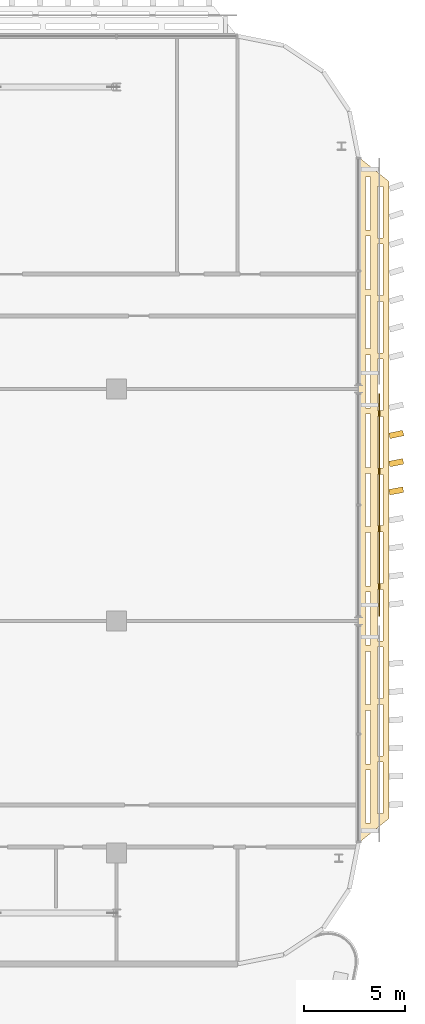
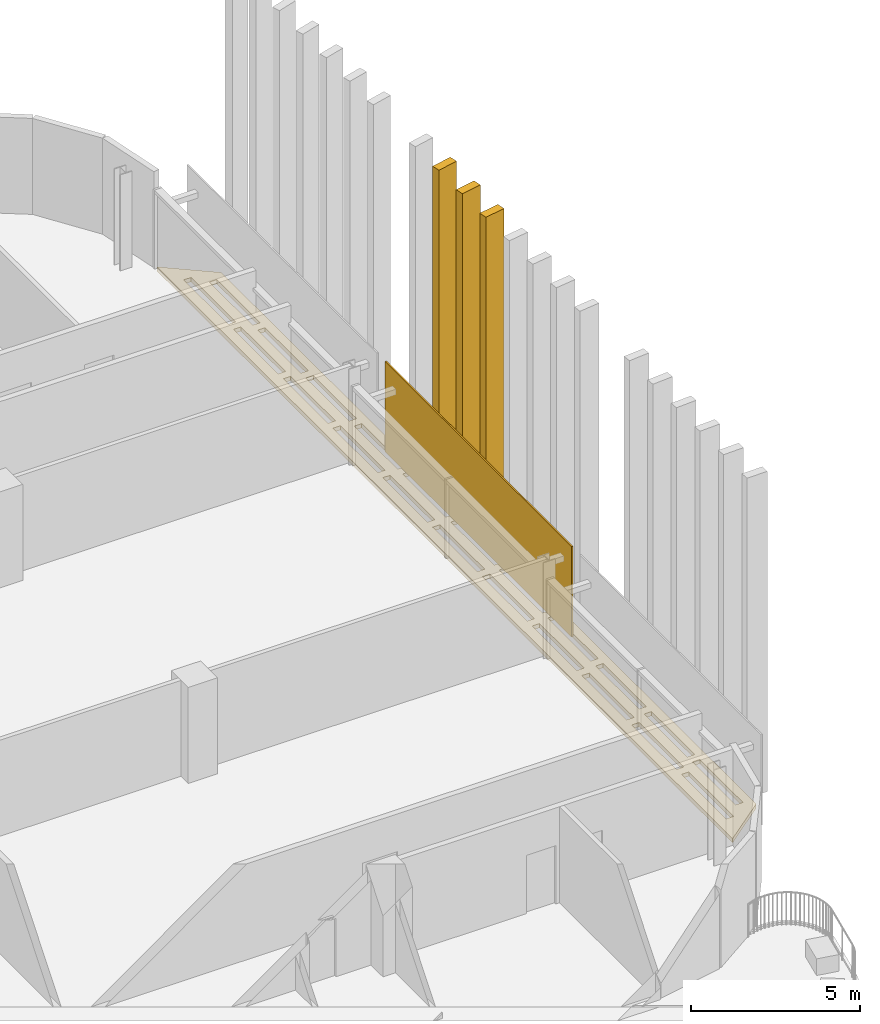
# One storey, part 29 of 30: 5 coverings.
"""IFC4 building model written with IfcOpenShell, lengths in metres."""

from ifc_helpers import new_model, si_unit, direction, frame, origin, origin_2d, place, context, subcontext, project, spatial, polyline, rectangle, outline, extrude, material, layer, layer_set, type_object, element, save


model = new_model("IFC4")

# Units and contexts
model_context = context("Model", 3, precision=1e-05, world=origin(), true_north=direction((0.0, 1.0)))
body_context = subcontext(model_context, "Body", "Model", "MODEL_VIEW")
ifc_project = project(units=[si_unit("LENGTHUNIT", "METRE"), si_unit("AREAUNIT", "SQUARE_METRE"), si_unit("VOLUMEUNIT", "CUBIC_METRE"), si_unit("PLANEANGLEUNIT", "RADIAN"), si_unit("MASSUNIT", "GRAM", prefix="KILO")], contexts=[model_context])

# Site, building, storey
site_placement = place(None, origin())
site = spatial("IfcSite", under=ifc_project, at=site_placement, CompositionType="ELEMENT")
building_placement = place(site_placement, origin())
building = spatial("IfcBuilding", under=site, at=building_placement, Name="Mahtab Terrace Research Tower", CompositionType="ELEMENT")
storey_placement = place(building_placement, frame((0.0, 0.0, 228.60009765625)))
storey = spatial("IfcBuildingStorey", under=building, at=storey_placement, Name="L55", CompositionType="ELEMENT", Elevation=228.60009765625)

# Coverings
ifc_material_1 = material(Name="Black anodised aluminium", Category="aluminium")
ifc_layer_1 = layer(ifc_material_1, 0.14990234375)
ifc_layer_set_1 = layer_set([ifc_layer_1], Name="Horizontal sunshade band")
covering_type_1 = type_object("IfcCoveringType", Name="Horizontal sunshade band", PredefinedType="CLADDING", material=ifc_layer_set_1)
covering_1_placement = place(storey_placement, frame((0.0, 0.0, -0.150146484375)))
element("IfcCovering", 1, at=covering_1_placement, inside=storey, type_object=covering_type_1, Name="Sunshade band L55 20", PredefinedType="CLADDING", context=body_context, shape_type="SweptSolid", body=[
    extrude(outline(polyline([(54.0, -11.0), (54.0, 23.0), (55.5, 21.800048828125), (55.5, -9.800048828125), (54.0, -11.0)]), holes=[polyline([(54.35009765625, -10.02001953125), (54.35009765625, -7.3798828125), (54.60009765625, -7.3798828125), (54.60009765625, -10.02001953125), (54.35009765625, -10.02001953125)]), polyline([(54.35009765625, -7.080078125), (54.35009765625, -4.43994140625), (54.60009765625, -4.43994140625), (54.60009765625, -7.080078125), (54.35009765625, -7.080078125)]), polyline([(54.35009765625, -4.139892578125), (54.35009765625, -1.5), (54.60009765625, -1.5), (54.60009765625, -4.139892578125), (54.35009765625, -4.139892578125)]), polyline([(54.35009765625, -1.199951171875), (54.35009765625, 1.43994140625), (54.60009765625, 1.43994140625), (54.60009765625, -1.199951171875), (54.35009765625, -1.199951171875)]), polyline([(54.35009765625, 1.739990234375), (54.35009765625, 4.3798828125), (54.60009765625, 4.3798828125), (54.60009765625, 1.739990234375), (54.35009765625, 1.739990234375)]), polyline([(54.35009765625, 4.679931640625), (54.35009765625, 7.320068359375), (54.60009765625, 7.320068359375), (54.60009765625, 4.679931640625), (54.35009765625, 4.679931640625)]), polyline([(54.35009765625, 7.6201171875), (54.35009765625, 10.260009765625), (54.60009765625, 10.260009765625), (54.60009765625, 7.6201171875), (54.35009765625, 7.6201171875)]), polyline([(54.35009765625, 10.56005859375), (54.35009765625, 13.199951171875), (54.60009765625, 13.199951171875), (54.60009765625, 10.56005859375), (54.35009765625, 10.56005859375)]), polyline([(54.35009765625, 13.5), (54.35009765625, 16.139892578125), (54.60009765625, 16.139892578125), (54.60009765625, 13.5), (54.35009765625, 13.5)]), polyline([(54.35009765625, 16.43994140625), (54.35009765625, 19.080078125), (54.60009765625, 19.080078125), (54.60009765625, 16.43994140625), (54.35009765625, 16.43994140625)]), polyline([(54.35009765625, 19.3798828125), (54.35009765625, 22.02001953125), (54.60009765625, 22.02001953125), (54.60009765625, 19.3798828125), (54.35009765625, 19.3798828125)]), polyline([(54.949951171875, -9.5400390625), (54.949951171875, -6.987060546875), (55.199951171875, -6.987060546875), (55.199951171875, -9.5400390625), (54.949951171875, -9.5400390625)]), polyline([(54.949951171875, -6.68701171875), (54.949951171875, -4.135009765625), (55.199951171875, -4.135009765625), (55.199951171875, -6.68701171875), (54.949951171875, -6.68701171875)]), polyline([(54.949951171875, -3.8349609375), (54.949951171875, -1.281982421875), (55.199951171875, -1.281982421875), (55.199951171875, -3.8349609375), (54.949951171875, -3.8349609375)]), polyline([(54.949951171875, -0.98193359375), (54.949951171875, 1.571044921875), (55.199951171875, 1.571044921875), (55.199951171875, -0.98193359375), (54.949951171875, -0.98193359375)]), polyline([(54.949951171875, 1.87109375), (54.949951171875, 4.424072265625), (55.199951171875, 4.424072265625), (55.199951171875, 1.87109375), (54.949951171875, 1.87109375)]), polyline([(54.949951171875, 4.72412109375), (54.949951171875, 7.27587890625), (55.199951171875, 7.27587890625), (55.199951171875, 4.72412109375), (54.949951171875, 4.72412109375)]), polyline([(54.949951171875, 7.575927734375), (54.949951171875, 10.12890625), (55.199951171875, 10.12890625), (55.199951171875, 7.575927734375), (54.949951171875, 7.575927734375)]), polyline([(54.949951171875, 10.428955078125), (54.949951171875, 12.98193359375), (55.199951171875, 12.98193359375), (55.199951171875, 10.428955078125), (54.949951171875, 10.428955078125)]), polyline([(54.949951171875, 13.281982421875), (54.949951171875, 15.8349609375), (55.199951171875, 15.8349609375), (55.199951171875, 13.281982421875), (54.949951171875, 13.281982421875)]), polyline([(54.949951171875, 16.135009765625), (54.949951171875, 18.68701171875), (55.199951171875, 18.68701171875), (55.199951171875, 16.135009765625), (54.949951171875, 16.135009765625)]), polyline([(54.949951171875, 18.987060546875), (54.949951171875, 21.5400390625), (55.199951171875, 21.5400390625), (55.199951171875, 18.987060546875), (54.949951171875, 18.987060546875)])]), origin(), (0.0, 0.0, 1.0), 0.150146484375),
])
ifc_material_2 = material(Name="Bronze anodised aluminium", Category="aluminium")
ifc_layer_2 = layer(ifc_material_2, 0.050048828125)
ifc_layer_set_2 = layer_set([ifc_layer_2], Name="Sky lounge girih screen panel")
covering_type_2 = type_object("IfcCoveringType", Name="Sky lounge girih screen panel", PredefinedType="CLADDING", material=ifc_layer_set_2)
covering_2_placement = place(storey_placement, frame((55.02490234375, 5.75, 0.10009765625), z_axis=(0.0, 0.0, 1.0), x_axis=(0.0, 1.0, 0.0)))
element("IfcCovering", 2, at=covering_2_placement, inside=storey, type_object=covering_type_2, Name="Girih screen L55 E22", PredefinedType="CLADDING", context=body_context, shape_type="SweptSolid", body=[
    extrude(rectangle(XDim=11.013916015625, YDim=0.050048828125, at=origin_2d()), origin(), (0.0, 0.0, 1.0), 3.260009765625),
])
ifc_layer_3 = layer(ifc_material_2, 0.1201171875)
ifc_layer_set_3 = layer_set([ifc_layer_3], Name="Vertical fin 700")
covering_type_3 = type_object("IfcCoveringType", Name="Vertical fin 700", PredefinedType="CLADDING", material=ifc_layer_set_3)
for number, where, z_axis, x_axis, name in (
    (3, (55.869384765625, 6.449951171875, -0.14990234375), (0.0, 0.0, 1.0), (-0.178196109459, 0.983994993165, 0.0), "Fin L55 E5"),
    (4, (55.870361328125, 7.85009765625, -0.14990234375), (0.0, 0.0, 1.0), (-0.192320470844, 0.981332174391, 0.0), "Fin L55 E6"),
    (5, (55.871337890625, 9.25, -0.14990234375), (0.0, 0.0, 1.0), (-0.206405101092, 0.97846662398, 0.0), "Fin L55 E7"),
):
    element("IfcCovering", number, at=place(storey_placement, frame(where, z_axis=z_axis, x_axis=x_axis)), inside=storey, type_object=covering_type_3, Name=name, PredefinedType="CLADDING", context=body_context, shape_type="SweptSolid", body=[
        extrude(rectangle(XDim=0.280029296875, YDim=0.699951171875, at=origin_2d()), origin(), (0.0, 0.0, 1.0), 11.550048828125),
    ])

save(model, "model.ifc")
